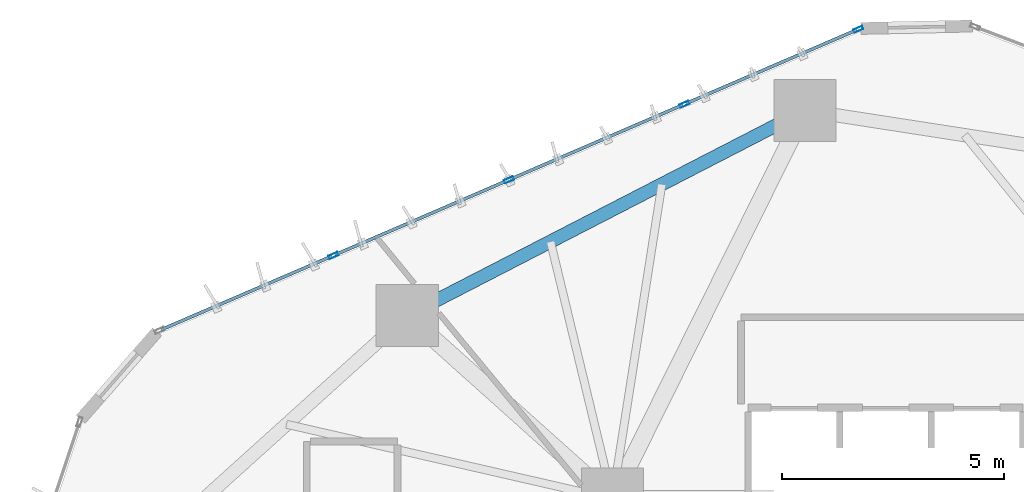
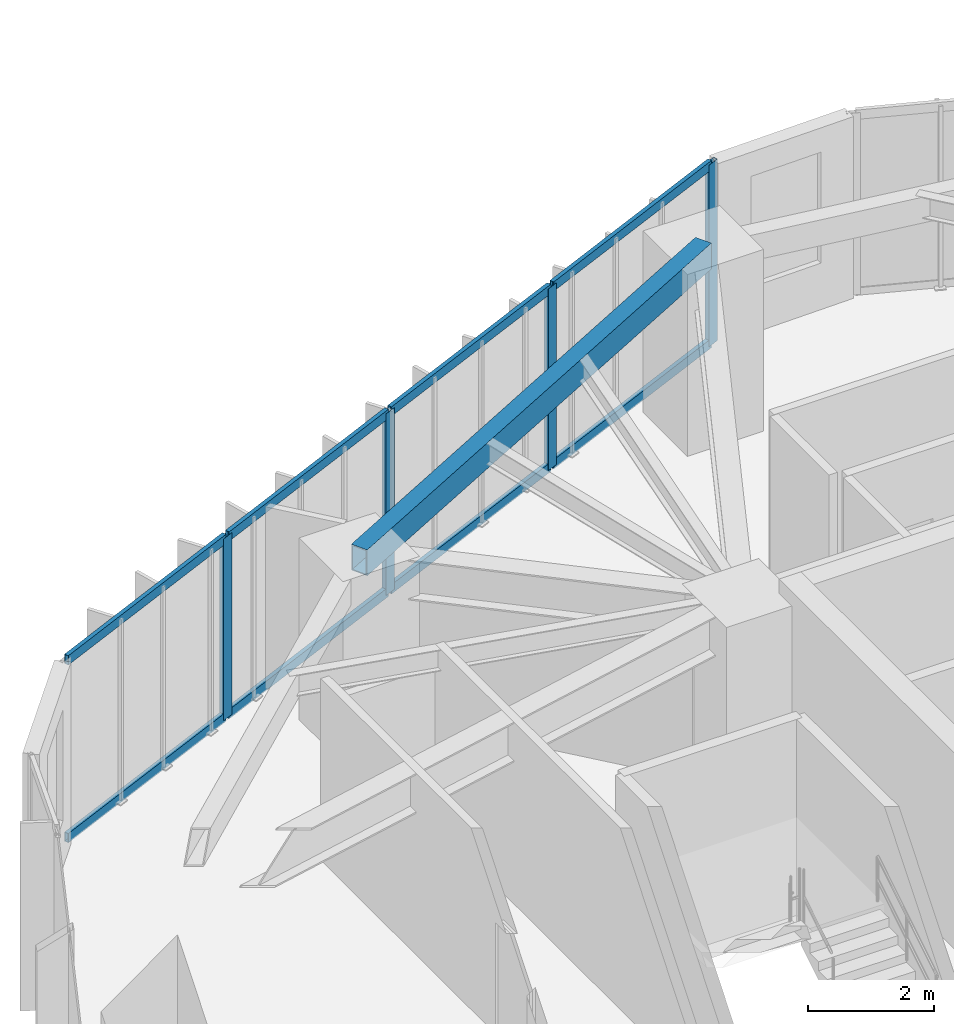
# One storey, part 14 of 23: 12 members, 1 beam, 1 element without a shape of its own.
"""IFC4 building model written with IfcOpenShell, lengths in metres."""

from ifc_helpers import new_model, si_unit, direction, frame, origin, origin_2d, place, context, subcontext, project, spatial, hollow_rectangle, extrude, source, transform, mapped, material, layer, layer_set, material_profile, profile_set, type_object, type_shapes, element, aggregate, save


model = new_model("IFC4")

# Units and contexts
model_context = context("Model", 3, precision=1e-05, world=origin(), true_north=direction((0.0, 1.0)))
body_context = subcontext(model_context, "Body", "Model", "MODEL_VIEW")
ifc_project = project(units=[si_unit("LENGTHUNIT", "METRE"), si_unit("AREAUNIT", "SQUARE_METRE"), si_unit("VOLUMEUNIT", "CUBIC_METRE"), si_unit("PLANEANGLEUNIT", "RADIAN"), si_unit("MASSUNIT", "GRAM", prefix="KILO")], contexts=[model_context])

# Site, building, storey
site_placement = place(None, origin())
site = spatial("IfcSite", under=ifc_project, at=site_placement, CompositionType="ELEMENT")
building_placement = place(site_placement, origin())
building = spatial("IfcBuilding", under=site, at=building_placement, Name="Talar Marvaseh", CompositionType="ELEMENT")
storey_placement = place(building_placement, frame((0.0, 0.0, 27.800048828125)))
storey = spatial("IfcBuildingStorey", under=building, at=storey_placement, Name="L06", CompositionType="ELEMENT", Elevation=27.800048828125)

# Beam
ifc_material_1 = material(Name="Steel S355", Category="steel")
ifc_material_profile_1 = material_profile(ifc_material_1, hollow_rectangle(XDim=0.300048828125, YDim=0.5, WallThickness=0.02001953125, at=origin_2d()), Name="RHS500x300x20")
ifc_profile_set_1 = profile_set([ifc_material_profile_1], Name="Steel S355")
beam_type = type_object("IfcBeamType", Name="Zone 1 Perimeter Spandrel Beam RHS500x300x20", PredefinedType="SPANDREL", material=ifc_profile_set_1)
beam_placement = place(storey_placement, frame((14.069091796875, 41.04296875, 3.27001953125), z_axis=(0.889015710182, 0.457876694155, 0.0), x_axis=(-0.457876694155, 0.889015710182, 0.0)))
element("IfcBeam", 1, at=beam_placement, inside=storey, type_object=beam_type, Name="L06 Zone 1 Perimeter Spandrel Beam RHS500x300x20", PredefinedType="SPANDREL", context=body_context, shape_type="SweptSolid", body=[
    extrude(hollow_rectangle(XDim=0.300048828125, YDim=0.5, WallThickness=0.02001953125, at=origin_2d()), origin(), (0.0, 0.0, 1.0), 10.098876953125),
])

# Curtain wall, members
ifc_material_2 = material(Name="Architectural Aluminium", Category="aluminium")
ifc_layer = layer(ifc_material_2, 0.219970703125)
ifc_layer_set = layer_set([ifc_layer], Name="Architectural Aluminium")
curtain_wall_type = type_object("IfcCurtainWallType", Name="Unitised Low-E Museum Curtain Wall Z1", PredefinedType="NOTDEFINED", material=ifc_layer_set)
curtain_wall_placement = place(storey_placement, origin())
curtain_wall = element("IfcCurtainWall", 2, at=curtain_wall_placement, inside=storey, type_object=curtain_wall_type, Name="L06 Unitised Low-E Museum Curtain Wall Z1", PredefinedType="NOTDEFINED")
ifc_material_profile_2 = material_profile(ifc_material_2, hollow_rectangle(XDim=0.080078125, YDim=0.219970703125, WallThickness=0.0048828125, at=origin_2d()), Name="RHS220x80x5")
ifc_profile_set_2 = profile_set([ifc_material_profile_2], Name="Architectural Aluminium")
member_type_1 = type_object("IfcMemberType", Name="Unitised Curtain Wall Heavy Mullion RHS220x80x5", PredefinedType="MULLION", material=ifc_profile_set_2)
shared_shape_1 = source(origin(), body_context, "Body", "SweptSolid", [
    extrude(hollow_rectangle(XDim=0.080078125, YDim=0.219970703125, WallThickness=0.0048828125, at=origin_2d()), origin(), (0.0, 0.0, 1.0), 3.52001953125),
])
type_shapes(member_type_1, [shared_shape_1])
member_1_placement = place(storey_placement, frame((12.4033203125, 42.392578125, 0.0), z_axis=(0.0, 0.0, 1.0), x_axis=(-0.395830865005, 0.918323432299, 0.0)))
member_1 = element("IfcMember", 3, at=member_1_placement, type_object=member_type_1, Name="CW-Z1 mullion 2", PredefinedType="MULLION", context=body_context, shape_type="MappedRepresentation", body=[
    mapped(shared_shape_1, transform((0.0, 0.0, 0.0), x_axis=(1.0, 0.0, 0.0), y_axis=(0.0, 1.0, 0.0), z_axis=(0.0, 0.0, 1.0), scale=1.0)),
])
member_2_placement = place(storey_placement, frame((16.363037109375, 44.099365234375, 0.0), z_axis=(0.0, 0.0, 1.0), x_axis=(-0.395830865005, 0.918323432299, 0.0)))
member_2 = element("IfcMember", 4, at=member_2_placement, type_object=member_type_1, Name="CW-Z1 mullion 3", PredefinedType="MULLION", context=body_context, shape_type="MappedRepresentation", body=[
    mapped(shared_shape_1, transform((0.0, 0.0, 0.0), x_axis=(1.0, 0.0, 0.0), y_axis=(0.0, 1.0, 0.0), z_axis=(0.0, 0.0, 1.0), scale=1.0)),
])
member_3_placement = place(storey_placement, frame((20.32275390625, 45.80615234375, 0.0), z_axis=(0.0, 0.0, 1.0), x_axis=(-0.395830865005, 0.918323432299, 0.0)))
member_3 = element("IfcMember", 5, at=member_3_placement, type_object=member_type_1, Name="CW-Z1 mullion 4", PredefinedType="MULLION", context=body_context, shape_type="MappedRepresentation", body=[
    mapped(shared_shape_1, transform((0.0, 0.0, 0.0), x_axis=(1.0, 0.0, 0.0), y_axis=(0.0, 1.0, 0.0), z_axis=(0.0, 0.0, 1.0), scale=1.0)),
])
member_4_placement = place(storey_placement, frame((24.245849609375, 47.4970703125, 0.0), z_axis=(0.0, 0.0, 1.0), x_axis=(-0.395830865005, 0.918323432299, 0.0)))
member_4 = element("IfcMember", 6, at=member_4_placement, type_object=member_type_1, Name="CW-Z1 mullion 5", PredefinedType="MULLION", context=body_context, shape_type="MappedRepresentation", body=[
    mapped(shared_shape_1, transform((0.0, 0.0, 0.0), x_axis=(1.0, 0.0, 0.0), y_axis=(0.0, 1.0, 0.0), z_axis=(0.0, 0.0, 1.0), scale=1.0)),
])
ifc_material_profile_3 = material_profile(ifc_material_2, hollow_rectangle(XDim=0.074951171875, YDim=0.179931640625, WallThickness=0.0048828125, at=origin_2d()), Name="RHS180x75x5")
ifc_profile_set_3 = profile_set([ifc_material_profile_3], Name="Architectural Aluminium")
member_type_2 = type_object("IfcMemberType", Name="Unitised Curtain Wall Transom RHS180x75x5", PredefinedType="USERDEFINED", material=ifc_profile_set_3)
shared_shape_2 = source(origin(), body_context, "Body", "SweptSolid", [
    extrude(hollow_rectangle(XDim=0.074951171875, YDim=0.179931640625, WallThickness=0.0048828125, at=origin_2d()), origin(), (0.0, 0.0, 1.0), 4.19189453125),
])
member_5_placement = place(storey_placement, frame((8.51708984375, 40.717529296875, 0.037353515625), z_axis=(0.918335766182, 0.395802249301, 0.0), x_axis=(-0.395802249301, 0.918335766182, 0.0)))
member_5 = element("IfcMember", 7, at=member_5_placement, type_object=member_type_2, Name="CW-Z1 transom 1.1", ObjectType="TRANSOM", PredefinedType="USERDEFINED", context=body_context, shape_type="MappedRepresentation", body=[
    mapped(shared_shape_2, transform((0.0, 0.0, 0.0), x_axis=(1.0, 0.0, 0.0), y_axis=(0.0, 1.0, 0.0), z_axis=(0.0, 0.0, 1.0), scale=1.0)),
])
member_6_placement = place(storey_placement, frame((8.51708984375, 40.717529296875, 3.482421875), z_axis=(0.918335766182, 0.395802249301, 0.0), x_axis=(-0.395802249301, 0.918335766182, 0.0)))
member_6 = element("IfcMember", 8, at=member_6_placement, type_object=member_type_2, Name="CW-Z1 transom 1.2", ObjectType="TRANSOM", PredefinedType="USERDEFINED", context=body_context, shape_type="MappedRepresentation", body=[
    mapped(shared_shape_2, transform((0.0, 0.0, 0.0), x_axis=(1.0, 0.0, 0.0), y_axis=(0.0, 1.0, 0.0), z_axis=(0.0, 0.0, 1.0), scale=1.0)),
])
shared_shape_3 = source(origin(), body_context, "Body", "SweptSolid", [
    extrude(hollow_rectangle(XDim=0.074951171875, YDim=0.179931640625, WallThickness=0.0048828125, at=origin_2d()), origin(), (0.0, 0.0, 1.0), 4.23193359375),
])
member_7_placement = place(storey_placement, frame((12.440185546875, 42.408447265625, 0.037353515625), z_axis=(0.918328425083, 0.395819281599, 0.0), x_axis=(-0.395819281599, 0.918328425083, 0.0)))
member_7 = element("IfcMember", 9, at=member_7_placement, type_object=member_type_2, Name="CW-Z1 transom 2.1", ObjectType="TRANSOM", PredefinedType="USERDEFINED", context=body_context, shape_type="MappedRepresentation", body=[
    mapped(shared_shape_3, transform((0.0, 0.0, 0.0), x_axis=(1.0, 0.0, 0.0), y_axis=(0.0, 1.0, 0.0), z_axis=(0.0, 0.0, 1.0), scale=1.0)),
])
member_8_placement = place(storey_placement, frame((12.440185546875, 42.408447265625, 3.482421875), z_axis=(0.918328425083, 0.395819281599, 0.0), x_axis=(-0.395819281599, 0.918328425083, 0.0)))
member_8 = element("IfcMember", 10, at=member_8_placement, type_object=member_type_2, Name="CW-Z1 transom 2.2", ObjectType="TRANSOM", PredefinedType="USERDEFINED", context=body_context, shape_type="MappedRepresentation", body=[
    mapped(shared_shape_3, transform((0.0, 0.0, 0.0), x_axis=(1.0, 0.0, 0.0), y_axis=(0.0, 1.0, 0.0), z_axis=(0.0, 0.0, 1.0), scale=1.0)),
])
member_9_placement = place(storey_placement, frame((16.39990234375, 44.115234375, 0.037353515625), z_axis=(0.918328425083, 0.395819281599, 0.0), x_axis=(-0.395819281599, 0.918328425083, 0.0)))
member_9 = element("IfcMember", 11, at=member_9_placement, type_object=member_type_2, Name="CW-Z1 transom 3.1", ObjectType="TRANSOM", PredefinedType="USERDEFINED", context=body_context, shape_type="MappedRepresentation", body=[
    mapped(shared_shape_3, transform((0.0, 0.0, 0.0), x_axis=(1.0, 0.0, 0.0), y_axis=(0.0, 1.0, 0.0), z_axis=(0.0, 0.0, 1.0), scale=1.0)),
])
member_10_placement = place(storey_placement, frame((16.39990234375, 44.115234375, 3.482421875), z_axis=(0.918328425083, 0.395819281599, 0.0), x_axis=(-0.395819281599, 0.918328425083, 0.0)))
member_10 = element("IfcMember", 12, at=member_10_placement, type_object=member_type_2, Name="CW-Z1 transom 3.2", ObjectType="TRANSOM", PredefinedType="USERDEFINED", context=body_context, shape_type="MappedRepresentation", body=[
    mapped(shared_shape_3, transform((0.0, 0.0, 0.0), x_axis=(1.0, 0.0, 0.0), y_axis=(0.0, 1.0, 0.0), z_axis=(0.0, 0.0, 1.0), scale=1.0)),
])
shared_shape_4 = source(origin(), body_context, "Body", "SweptSolid", [
    extrude(hollow_rectangle(XDim=0.074951171875, YDim=0.179931640625, WallThickness=0.0048828125, at=origin_2d()), origin(), (0.0, 0.0, 1.0), 4.191650390625),
])
type_shapes(member_type_2, [shared_shape_2, shared_shape_3, shared_shape_4])
member_11_placement = place(storey_placement, frame((20.359619140625, 45.822021484375, 0.037353515625), z_axis=(0.918326641531, 0.395823419537, 0.0), x_axis=(-0.395823419537, 0.918326641531, 0.0)))
member_11 = element("IfcMember", 13, at=member_11_placement, type_object=member_type_2, Name="CW-Z1 transom 4.1", ObjectType="TRANSOM", PredefinedType="USERDEFINED", context=body_context, shape_type="MappedRepresentation", body=[
    mapped(shared_shape_4, transform((0.0, 0.0, 0.0), x_axis=(1.0, 0.0, 0.0), y_axis=(0.0, 1.0, 0.0), z_axis=(0.0, 0.0, 1.0), scale=1.0)),
])
member_12_placement = place(storey_placement, frame((20.359619140625, 45.822021484375, 3.482421875), z_axis=(0.918326641531, 0.395823419537, 0.0), x_axis=(-0.395823419537, 0.918326641531, 0.0)))
member_12 = element("IfcMember", 14, at=member_12_placement, type_object=member_type_2, Name="CW-Z1 transom 4.2", ObjectType="TRANSOM", PredefinedType="USERDEFINED", context=body_context, shape_type="MappedRepresentation", body=[
    mapped(shared_shape_4, transform((0.0, 0.0, 0.0), x_axis=(1.0, 0.0, 0.0), y_axis=(0.0, 1.0, 0.0), z_axis=(0.0, 0.0, 1.0), scale=1.0)),
])
aggregate(curtain_wall, [member_1, member_2, member_3, member_4, member_5, member_6, member_7, member_8, member_9, member_10, member_11, member_12])

save(model, "model.ifc")
